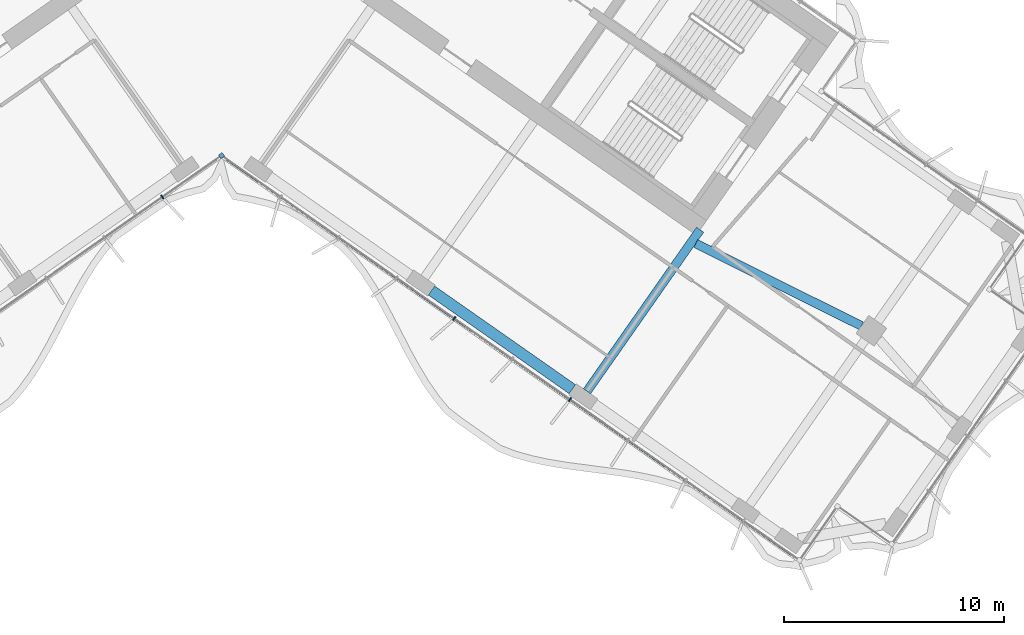
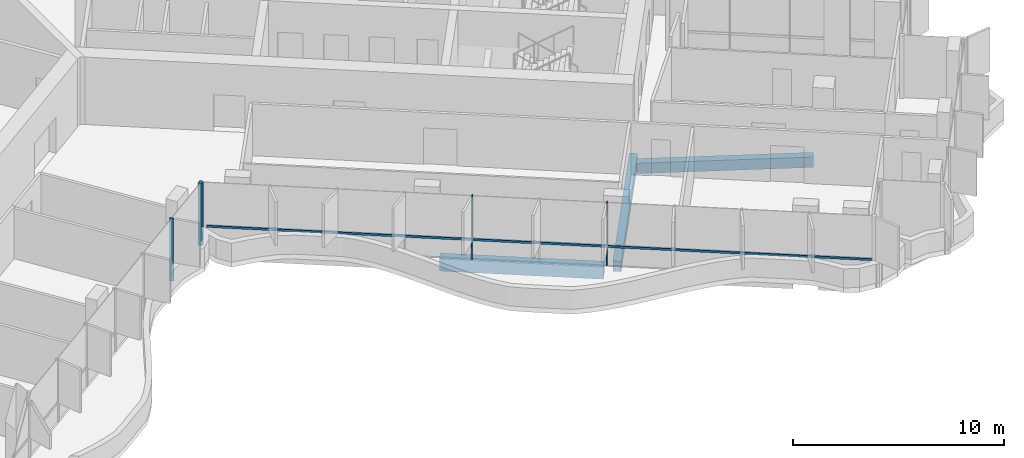
# One storey, part 6 of 23: 5 members, 3 beams, 1 element without a shape of its own.
"""IFC4 building model written with IfcOpenShell, lengths in metres."""

from ifc_helpers import new_model, si_unit, direction, frame, origin, origin_2d, place, context, subcontext, project, spatial, rectangle, extrude, material, material_profile, profile_set, type_object, element, aggregate, save


model = new_model("IFC4")

# Units and contexts
model_context = context("Model", 3, precision=1e-05, world=origin(), true_north=direction((0.0, 1.0)))
body_context = subcontext(model_context, "Body", "Model", "MODEL_VIEW")
ifc_project = project(units=[si_unit("LENGTHUNIT", "METRE"), si_unit("AREAUNIT", "SQUARE_METRE"), si_unit("VOLUMEUNIT", "CUBIC_METRE"), si_unit("PLANEANGLEUNIT", "RADIAN"), si_unit("MASSUNIT", "GRAM", prefix="KILO")], contexts=[model_context])

# Site, building, storey
site_placement = place(None, origin())
site = spatial("IfcSite", under=ifc_project, at=site_placement, CompositionType="ELEMENT")
building_placement = place(site_placement, origin())
building = spatial("IfcBuilding", under=site, at=building_placement, Name="Tel Ilan Convention Tower", CompositionType="ELEMENT")
storey_placement = place(building_placement, frame((0.0, 0.0, 182.699951171875)))
storey = spatial("IfcBuildingStorey", under=building, at=storey_placement, Name="L42", CompositionType="ELEMENT", Elevation=182.699951171875)

# Beams
ifc_material_1 = material(Name="Concrete C40/50", Category="concrete")
ifc_material_profile_1 = material_profile(ifc_material_1, rectangle(XDim=0.39990234375, YDim=0.60009765625, at=origin_2d()), Name="RC 400x600")
ifc_profile_set_1 = profile_set([ifc_material_profile_1], Name="Concrete C40/50")
beam_type_1 = type_object("IfcBeamType", Name="Beam RC 400x600 Concrete C40/50", PredefinedType="BEAM", material=ifc_profile_set_1)
beam_1_placement = place(storey_placement, frame((16.58203125, -23.391357421875, -0.579833984375), z_axis=(0.573584999642, 0.819146048141, 0.0), x_axis=(-0.819146048141, 0.573584999642, 0.0)))
element("IfcBeam", 1, at=beam_1_placement, inside=storey, type_object=beam_type_1, Name="L42 beam E-E-F3-core", PredefinedType="BEAM", context=body_context, shape_type="SweptSolid", body=[
    extrude(rectangle(XDim=0.39990234375, YDim=0.60009765625, at=origin_2d()), origin(), (0.0, 0.0, 1.0), 8.949951171875),
])
beam_2_placement = place(storey_placement, frame((21.52099609375, -16.686279296875, -0.579833984375), z_axis=(0.895402365524, -0.445257907076, 0.0), x_axis=(0.445257907076, 0.895402365524, 0.0)))
element("IfcBeam", 2, at=beam_2_placement, inside=storey, type_object=beam_type_1, Name="L42 beam E-core-E-M4", PredefinedType="BEAM", context=body_context, shape_type="SweptSolid", body=[
    extrude(rectangle(XDim=0.39990234375, YDim=0.60009765625, at=origin_2d()), origin(), (0.0, 0.0, 1.0), 8.3935546875),
])
ifc_material_2 = material(Name="Concrete C40/50", Category="concrete")
ifc_material_profile_2 = material_profile(ifc_material_2, rectangle(XDim=0.5, YDim=0.699951171875, at=origin_2d()), Name="RC 500x700")
ifc_profile_set_2 = profile_set([ifc_material_profile_2], Name="Concrete C40/50")
beam_type_2 = type_object("IfcBeamType", Name="Beam RC 500x700 Concrete C40/50", PredefinedType="BEAM", material=ifc_profile_set_2)
beam_3_placement = place(storey_placement, frame((9.529052734375, -18.819091796875, -0.6298828125), z_axis=(0.819153977895, -0.573573674866, 0.0), x_axis=(0.573573674866, 0.819153977895, 0.0)))
element("IfcBeam", 3, at=beam_3_placement, inside=storey, type_object=beam_type_2, Name="L42 beam E-E-F2-E-F3", PredefinedType="BEAM", context=body_context, shape_type="SweptSolid", body=[
    extrude(rectangle(XDim=0.5, YDim=0.699951171875, at=origin_2d()), origin(), (0.0, 0.0, 1.0), 7.800048828125),
])

# Curtain wall, members
ifc_material_3 = material(Name="Aluminium, bronze anodised", Category="aluminium")
curtain_wall_type = type_object("IfcCurtainWallType", Name="CW4 STICK CURTAIN WALL, OFFICE TINTED GLASS", PredefinedType="NOTDEFINED", material=ifc_material_3)
curtain_wall_placement = place(storey_placement, origin())
curtain_wall = element("IfcCurtainWall", 4, at=curtain_wall_placement, inside=storey, type_object=curtain_wall_type, Name="Curtain wall CW4-32.02", PredefinedType="NOTDEFINED")
ifc_material_4 = material(Name="Aluminium, bronze anodised", Category="aluminium")
ifc_material_profile_3 = material_profile(ifc_material_4, rectangle(XDim=0.199951171875, YDim=0.199951171875, at=origin_2d()), Name="CW CORNER MULLION 200x200")
ifc_profile_set_3 = profile_set([ifc_material_profile_3], Name="Aluminium, bronze anodised")
member_type_1 = type_object("IfcMemberType", Name="CW CORNER MULLION 200x200", PredefinedType="MULLION", material=ifc_profile_set_3)
member_1_placement = place(storey_placement, frame((0.0, -12.696044921875, 0.0), z_axis=(0.0, 0.0, 1.0), x_axis=(0.819152044289, 0.573576436351, 0.0)))
member_1 = element("IfcMember", 5, at=member_1_placement, type_object=member_type_1, Name="Corner mullion", PredefinedType="MULLION", context=body_context, shape_type="SweptSolid", body=[
    extrude(rectangle(XDim=0.199951171875, YDim=0.199951171875, at=origin_2d()), origin(), (0.0, 0.0, 1.0), 3.6201171875),
])
ifc_material_5 = material(Name="Aluminium, bronze anodised", Category="aluminium")
ifc_material_profile_4 = material_profile(ifc_material_5, rectangle(XDim=0.06005859375, YDim=0.199951171875, at=origin_2d()), Name="CW MULLION 60x200")
ifc_profile_set_4 = profile_set([ifc_material_profile_4], Name="Aluminium, bronze anodised")
member_type_2 = type_object("IfcMemberType", Name="CW MULLION 60x200", PredefinedType="MULLION", material=ifc_profile_set_4)
member_2_placement = place(storey_placement, frame((-2.6826171875, -14.574462890625, 0.0), z_axis=(0.0, 0.0, 1.0), x_axis=(0.819152044289, 0.573576436351, 0.0)))
member_2 = element("IfcMember", 6, at=member_2_placement, type_object=member_type_2, Name="Mullion", PredefinedType="MULLION", context=body_context, shape_type="SweptSolid", body=[
    extrude(rectangle(XDim=0.06005859375, YDim=0.199951171875, at=origin_2d()), origin(), (0.0, 0.0, 1.0), 3.6201171875),
])
member_3_placement = place(storey_placement, frame((10.55810546875, -20.0888671875, 0.0), z_axis=(0.0, 0.0, 1.0), x_axis=(0.819152044289, -0.573576436351, 0.0)))
member_3 = element("IfcMember", 7, at=member_3_placement, type_object=member_type_2, Name="Mullion", PredefinedType="MULLION", context=body_context, shape_type="SweptSolid", body=[
    extrude(rectangle(XDim=0.06005859375, YDim=0.199951171875, at=origin_2d()), origin(), (0.0, 0.0, 1.0), 3.6201171875),
])
member_4_placement = place(storey_placement, frame((15.80859375, -23.765380859375, 0.0), z_axis=(0.0, 0.0, 1.0), x_axis=(0.819152044289, -0.573576436351, 0.0)))
member_4 = element("IfcMember", 8, at=member_4_placement, type_object=member_type_2, Name="Mullion", PredefinedType="MULLION", context=body_context, shape_type="SweptSolid", body=[
    extrude(rectangle(XDim=0.06005859375, YDim=0.199951171875, at=origin_2d()), origin(), (0.0, 0.0, 1.0), 3.6201171875),
])
ifc_material_6 = material(Name="Aluminium, bronze anodised", Category="aluminium")
ifc_material_profile_5 = material_profile(ifc_material_6, rectangle(XDim=0.10009765625, YDim=0.1201171875, at=origin_2d()), Name="CW TRANSOM 100x120")
ifc_profile_set_5 = profile_set([ifc_material_profile_5], Name="Aluminium, bronze anodised")
member_type_3 = type_object("IfcMemberType", Name="CW TRANSOM 100x120", PredefinedType="USERDEFINED", material=ifc_profile_set_5)
member_5_placement = place(storey_placement, frame((0.22119140625, -12.850830078125, 1.10009765625), z_axis=(0.819149281128, -0.573580382534, 0.0), x_axis=(0.573580382534, 0.819149281128, 0.0)))
member_5 = element("IfcMember", 9, at=member_5_placement, type_object=member_type_3, Name="Transom", ObjectType="TRANSOM", PredefinedType="USERDEFINED", context=body_context, shape_type="SweptSolid", body=[
    extrude(rectangle(XDim=0.10009765625, YDim=0.1201171875, at=origin_2d()), origin(), (0.0, 0.0, 1.0), 31.64794921875),
])
aggregate(curtain_wall, [member_2, member_1, member_3, member_4, member_5])

save(model, "model.ifc")
